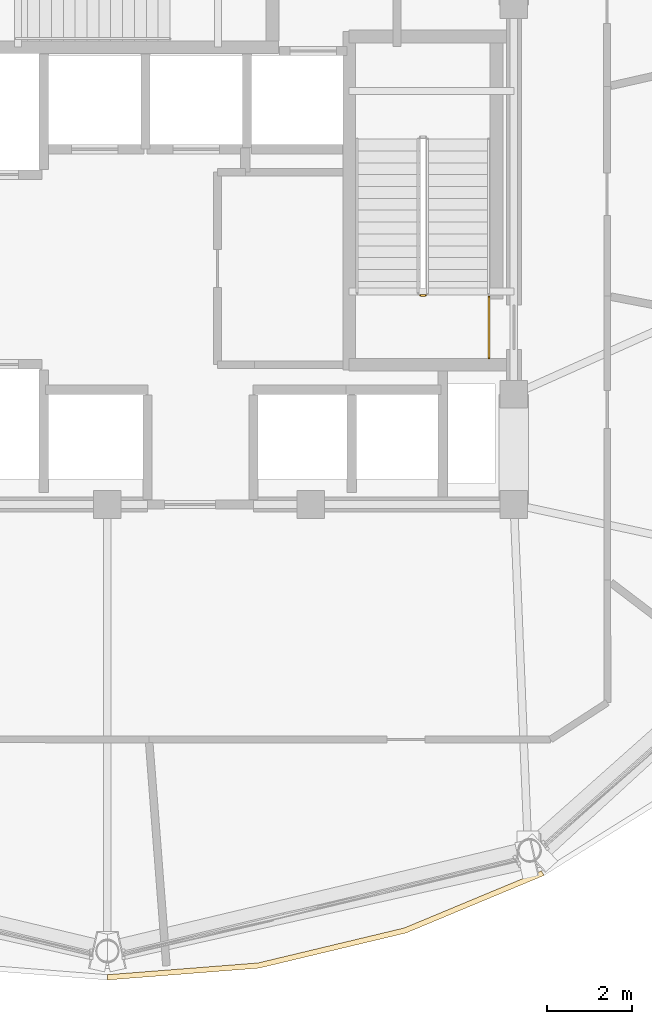
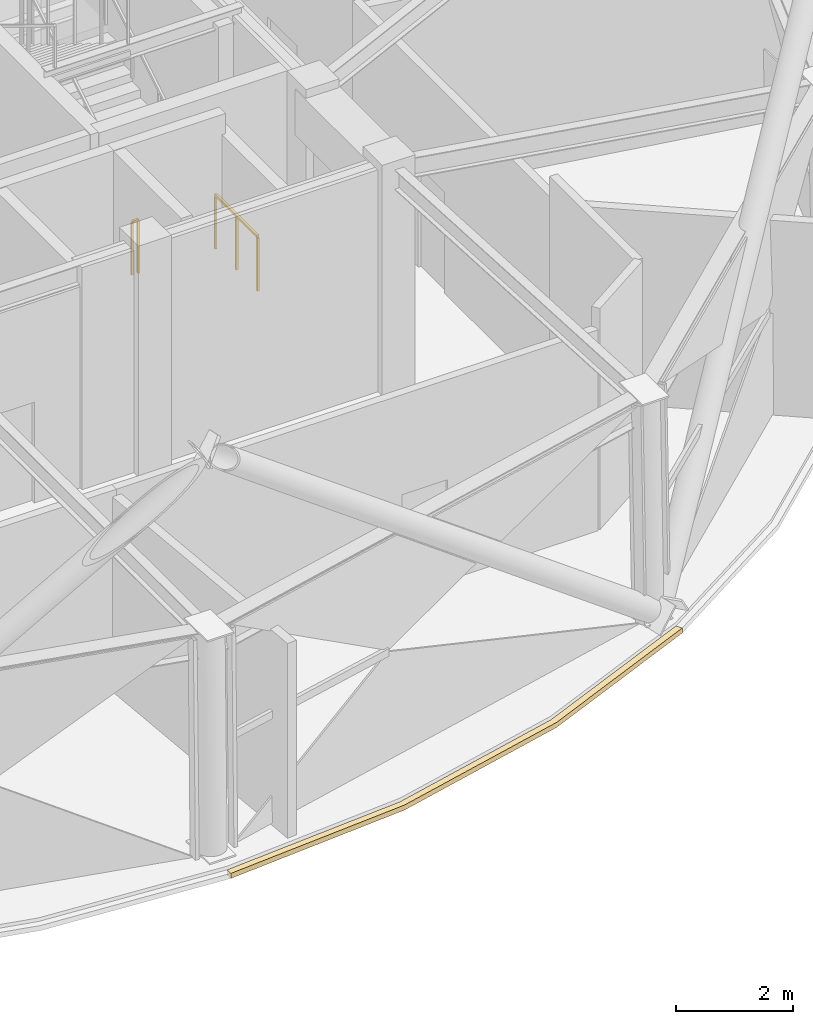
# One storey, part 12 of 14: 2 railings, 1 covering.
"""IFC4 building model written with IfcOpenShell, lengths in metres."""

from ifc_helpers import new_model, si_unit, direction, frame, origin, origin_2d, place, context, subcontext, project, spatial, polyline, rectangle, outline, extrude, material, layer, layer_set, type_object, element, save


model = new_model("IFC4")

# Units and contexts
model_context = context("Model", 3, precision=1e-05, world=origin(), true_north=direction((0.0, 1.0)))
body_context = subcontext(model_context, "Body", "Model", "MODEL_VIEW")
ifc_project = project(units=[si_unit("LENGTHUNIT", "METRE"), si_unit("AREAUNIT", "SQUARE_METRE"), si_unit("VOLUMEUNIT", "CUBIC_METRE"), si_unit("PLANEANGLEUNIT", "RADIAN"), si_unit("MASSUNIT", "GRAM", prefix="KILO")], contexts=[model_context])

# Site, building, storey
site_placement = place(None, origin())
site = spatial("IfcSite", under=ifc_project, at=site_placement, CompositionType="ELEMENT")
building_placement = place(site_placement, origin())
building = spatial("IfcBuilding", under=site, at=building_placement, Name="Vantalir Tower", CompositionType="ELEMENT")
storey_placement = place(building_placement, frame((0.0, 0.0, 259.050048828125)))
storey = spatial("IfcBuildingStorey", under=building, at=storey_placement, Name="L65", CompositionType="ELEMENT", Elevation=259.050048828125)

# Covering
ifc_material_1 = material(Name="Anodised champagne aluminium sill fascia", Category="aluminium")
ifc_layer = layer(ifc_material_1, 0.125)
ifc_layer_set = layer_set([ifc_layer], Name="Anodised champagne aluminium sill fascia")
covering_type = type_object("IfcCoveringType", Name="COV-SLAB-FASCIA-125", PredefinedType="CLADDING", material=ifc_layer_set)
covering_placement = place(storey_placement, frame((0.0, 0.0, -0.179931640625)))
element("IfcCovering", 1, at=covering_placement, inside=storey, type_object=covering_type, Name="L65 Perimeter Slab-Edge Sill Fascia 10", PredefinedType="CLADDING", context=body_context, shape_type="SweptSolid", body=[
    extrude(outline(polyline([(31.5, 6.571044921875), (35.0810546875, 6.85107421875), (38.553955078125, 7.681884765625), (41.81298828125, 9.0400390625), (41.75, 9.14794921875), (38.510986328125, 7.800048828125), (35.06005859375, 6.97412109375), (31.5, 6.696044921875), (31.5, 6.571044921875)])), origin(), (0.0, 0.0, 1.0), 0.10498046875),
])

# Railings
ifc_material_2 = material(Name="Anodised aluminium and stainless steel guard", Category="steel")
railing_type = type_object("IfcRailingType", Name="RAL-GUARD-1120", PredefinedType="GUARDRAIL", material=ifc_material_2)
railing_1_placement = place(storey_placement, frame((39.010009765625, 22.739990234375, 0.0)))
element("IfcRailing", 2, at=railing_1_placement, inside=storey, type_object=railing_type, Name="L65 ST2 stair guard 4", PredefinedType="GUARDRAIL", context=body_context, shape_type="SweptSolid", body=[
    extrude(rectangle(XDim=0.048095703125, YDim=0.048095703125, at=origin_2d()), frame((0.0, 0.0, 1.09619140625), z_axis=(-1.0, 0.0, 0.0), x_axis=(0.0, -1.0, 0.0)), (0.0, 0.0, 1.0), 0.1201171875),
    extrude(rectangle(XDim=0.0419921875, YDim=0.0419921875, at=origin_2d()), origin(), (0.0, 0.0, 1.0), 1.072021484375),
    extrude(rectangle(XDim=0.0419921875, YDim=0.0419921875, at=origin_2d()), frame((-0.1201171875, 0.0, 0.0)), (0.0, 0.0, 1.0), 1.072021484375),
])
railing_2_placement = place(storey_placement, frame((40.510009765625, 21.260009765625, 0.0)))
element("IfcRailing", 3, at=railing_2_placement, inside=storey, type_object=railing_type, Name="L65 Stair ST2 Doorway Landing Guard", PredefinedType="GUARDRAIL", context=body_context, shape_type="SweptSolid", body=[
    extrude(rectangle(XDim=0.048095703125, YDim=0.048095703125, at=origin_2d()), frame((0.0, 0.0, 1.1259765625), z_axis=(0.0, 1.0, 0.0), x_axis=(-1.0, 0.0, 0.0)), (0.0, 0.0, 1.0), 1.43994140625),
    extrude(rectangle(XDim=0.0419921875, YDim=0.0419921875, at=origin_2d()), origin(), (0.0, 0.0, 1.0), 1.101806640625),
    extrude(rectangle(XDim=0.0419921875, YDim=0.0419921875, at=origin_2d()), frame((0.0, 0.719970703125, 0.0)), (0.0, 0.0, 1.0), 1.101806640625),
    extrude(rectangle(XDim=0.0419921875, YDim=0.0419921875, at=origin_2d()), frame((0.0, 1.43994140625, 0.0)), (0.0, 0.0, 1.0), 1.101806640625),
])

save(model, "model.ifc")
